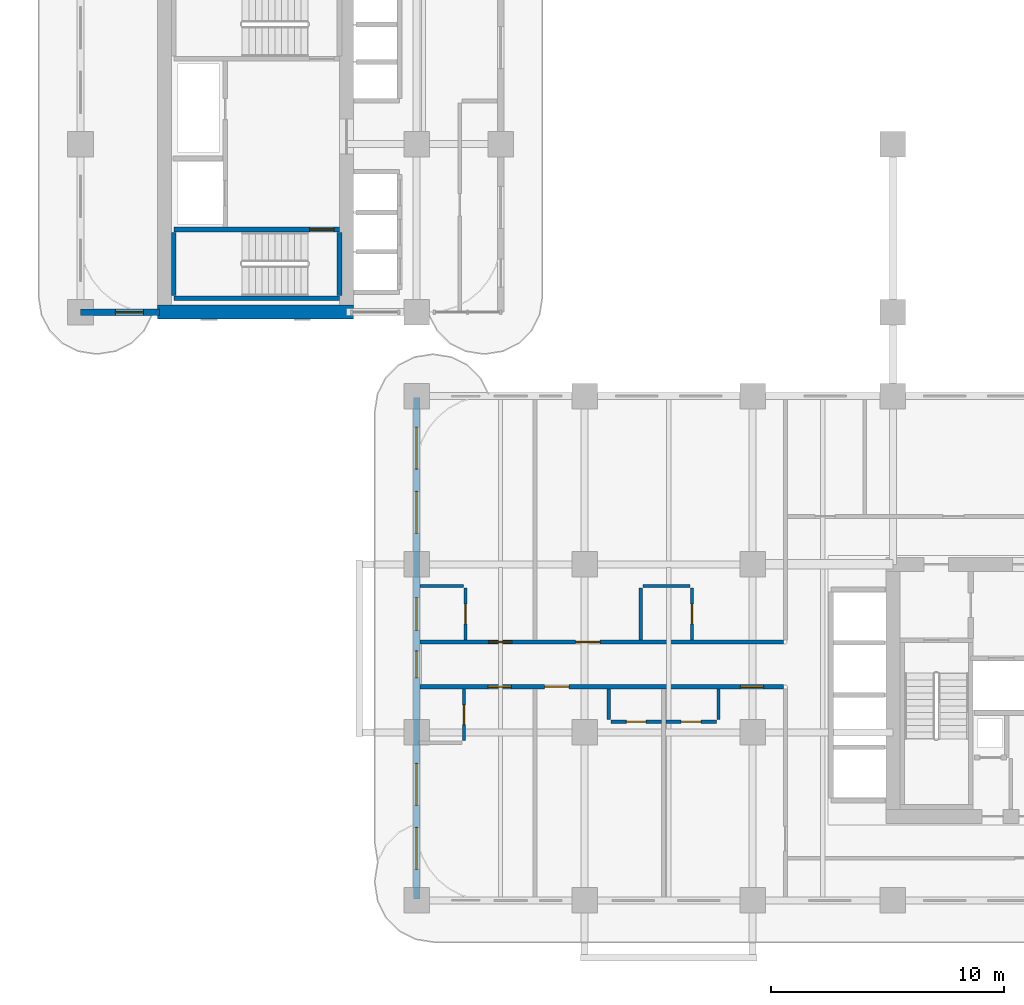
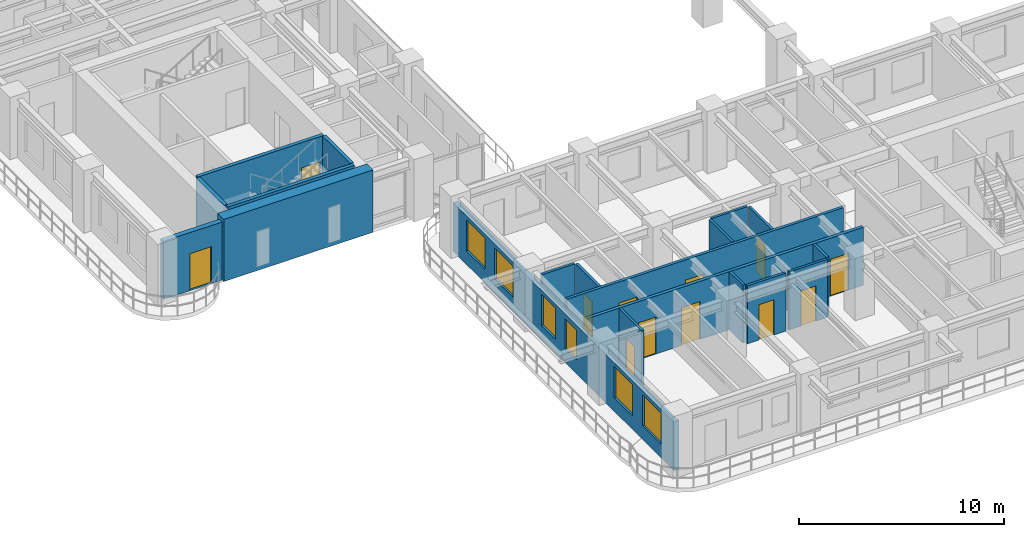
# One storey, part 6 of 18: 19 walls, 12 doors, 6 windows, 18 openings.
"""IFC4 building model written with IfcOpenShell, lengths in metres."""

from ifc_helpers import new_model, si_unit, derived_unit, direction, frame, frame_2d, origin, place, context, subcontext, project, spatial, rectangle, extrude, source, transform, mapped, material, layer, layer_set, type_object, type_shapes, element, fill, save


model = new_model("IFC4")

# Units and contexts
model_context = context("Model", 3, precision=1e-05, world=origin(), true_north=direction((0.0, 1.0)))
body_context = subcontext(model_context, "Body", "Model", "MODEL_VIEW")
ifc_project = project(units=[si_unit("LENGTHUNIT", "METRE"), si_unit("AREAUNIT", "SQUARE_METRE"), si_unit("VOLUMEUNIT", "CUBIC_METRE"), si_unit("PLANEANGLEUNIT", "RADIAN"), si_unit("MASSUNIT", "GRAM", prefix="KILO"), si_unit("THERMODYNAMICTEMPERATUREUNIT", "KELVIN"), si_unit("POWERUNIT", "WATT"), derived_unit("THERMALTRANSMITTANCEUNIT", [(si_unit("POWERUNIT", "WATT"), 1), (si_unit("AREAUNIT", "SQUARE_METRE"), -1), (si_unit("THERMODYNAMICTEMPERATUREUNIT", "KELVIN"), -1)])], contexts=[model_context])

# Site, building, storey
site_placement = place(None, origin())
site = spatial("IfcSite", under=ifc_project, at=site_placement, CompositionType="ELEMENT")
building_placement = place(site_placement, origin())
building = spatial("IfcBuilding", under=site, at=building_placement, Name="Zahravan Archway Hotel and Residences", CompositionType="ELEMENT")
storey_placement = place(building_placement, frame((0.0, 0.0, 36.10009765625)))
storey = spatial("IfcBuildingStorey", under=building, at=storey_placement, Name="L07", CompositionType="ELEMENT", Elevation=36.10009765625)

# Wall
ifc_material_1 = material(Name="Concrete C70/85", Category="concrete")
ifc_layer_1 = layer(ifc_material_1, 0.60009765625, Name="Concrete C70/85", Category="concrete")
ifc_layer_set_1 = layer_set([ifc_layer_1], Name="Concrete C70/85")
wall_type_1 = type_object("IfcWallType", Name="CW-CORE-600", PredefinedType="SHEAR", material=ifc_layer_set_1)
wall_1_placement = place(storey_placement, frame((3.300048828125, 25.199951171875, 0.0), z_axis=(0.0, 0.0, 1.0), x_axis=(1.0, 0.0, 0.0)))
element("IfcWall", 1, at=wall_1_placement, inside=storey, type_object=wall_type_1, Name="L07 Core B Shear S Wall 600 mm", PredefinedType="SHEAR", context=body_context, shape_type="SweptSolid", body=[
    extrude(rectangle(XDim=8.39990234375, YDim=0.60009765625, at=frame_2d((4.199951171875, 0.0))), origin(), (0.0, 0.0, 1.0), 3.699951171875),
])

# Wall, openings, windows
ifc_material_2 = material(Name="Honed Red-Ochre Sandstone & Insulated Block", Category="masonry")
ifc_layer_2 = layer(ifc_material_2, 0.280029296875, Name="Honed Red-Ochre Sandstone & Insulated Block", Category="masonry")
ifc_layer_set_2 = layer_set([ifc_layer_2], Name="Honed Red-Ochre Sandstone & Insulated Block")
wall_type_2 = type_object("IfcWallType", Name="EW-LOG-280", PredefinedType="SOLIDWALL", material=ifc_layer_set_2)
wall_2_placement = place(storey_placement, frame((14.39990234375, 0.050048828125, 0.0), z_axis=(0.0, 0.0, 1.0), x_axis=(0.0, 1.0, 0.0)))
wall_2 = element("IfcWall", 2, at=wall_2_placement, inside=storey, type_object=wall_type_2, Name="L07 Exterior Sandstone Wall WA-W", PredefinedType="SOLIDWALL", context=body_context, shape_type="SweptSolid", body=[
    extrude(rectangle(XDim=21.5, YDim=0.280029296875, at=frame_2d((10.75, 0.0))), origin(), (0.0, 0.0, 1.0), 2.885009765625),
])
opening_1_placement = place(wall_2_placement, frame((1.27490234375, 0.0, 0.800048828125)))
opening_1 = element("IfcOpeningElement", 3, at=opening_1_placement, cuts=wall_2, Name="Opening W-02", PredefinedType="OPENING", context=body_context, shape_type="SweptSolid", body=[
    extrude(rectangle(XDim=1.800048828125, YDim=1.85009765625, at=frame_2d((0.89990234375, 0.925048828125))), frame((0.0, 0.14990234375, 0.0), z_axis=(0.0, -1.0, 0.0), x_axis=(1.0, 0.0, 0.0)), (0.0, 0.0, 1.0), 0.300048828125),
])
opening_2_placement = place(wall_2_placement, frame((4.02490234375, 0.0, 0.800048828125)))
opening_2 = element("IfcOpeningElement", 4, at=opening_2_placement, cuts=wall_2, Name="Opening W-02", PredefinedType="OPENING", context=body_context, shape_type="SweptSolid", body=[
    extrude(rectangle(XDim=1.800048828125, YDim=1.85009765625, at=frame_2d((0.89990234375, 0.925048828125))), frame((0.0, 0.14990234375, 0.0), z_axis=(0.0, -1.0, 0.0), x_axis=(1.0, 0.0, 0.0)), (0.0, 0.0, 1.0), 0.300048828125),
])
opening_3_placement = place(wall_2_placement, frame((9.485107421875, 0.0, 0.800048828125)))
opening_3 = element("IfcOpeningElement", 5, at=opening_3_placement, cuts=wall_2, Name="Opening W-05", PredefinedType="OPENING", context=body_context, shape_type="SweptSolid", body=[
    extrude(rectangle(XDim=1.14990234375, YDim=1.800048828125, at=frame_2d((0.574951171875, 0.89990234375))), frame((0.0, 0.14990234375, 0.0), z_axis=(0.0, -1.0, 0.0), x_axis=(1.0, 0.0, 0.0)), (0.0, 0.0, 1.0), 0.300048828125),
])
opening_4_placement = place(wall_2_placement, frame((11.52001953125, 0.0, 0.800048828125)))
opening_4 = element("IfcOpeningElement", 6, at=opening_4_placement, cuts=wall_2, Name="Opening W-03", PredefinedType="OPENING", context=body_context, shape_type="SweptSolid", body=[
    extrude(rectangle(XDim=1.39990234375, YDim=1.85009765625, at=frame_2d((0.699951171875, 0.925048828125))), frame((0.0, 0.14990234375, 0.0), z_axis=(0.0, -1.0, 0.0), x_axis=(1.0, 0.0, 0.0)), (0.0, 0.0, 1.0), 0.300048828125),
])
opening_5_placement = place(wall_2_placement, frame((15.675048828125, 0.0, 0.800048828125)))
opening_5 = element("IfcOpeningElement", 7, at=opening_5_placement, cuts=wall_2, Name="Opening W-02", PredefinedType="OPENING", context=body_context, shape_type="SweptSolid", body=[
    extrude(rectangle(XDim=1.800048828125, YDim=1.85009765625, at=frame_2d((0.89990234375, 0.925048828125))), frame((0.0, 0.14990234375, 0.0), z_axis=(0.0, -1.0, 0.0), x_axis=(1.0, 0.0, 0.0)), (0.0, 0.0, 1.0), 0.300048828125),
])
opening_6_placement = place(wall_2_placement, frame((18.425048828125, 0.0, 0.800048828125)))
opening_6 = element("IfcOpeningElement", 8, at=opening_6_placement, cuts=wall_2, Name="Opening W-02", PredefinedType="OPENING", context=body_context, shape_type="SweptSolid", body=[
    extrude(rectangle(XDim=1.800048828125, YDim=1.85009765625, at=frame_2d((0.89990234375, 0.925048828125))), frame((0.0, 0.14990234375, 0.0), z_axis=(0.0, -1.0, 0.0), x_axis=(1.0, 0.0, 0.0)), (0.0, 0.0, 1.0), 0.300048828125),
])
ifc_material_3 = material(Name="Bronze-Anodized Thermal-Break Aluminium & Low-E Glass", Category="aluminium")
window_type_1 = type_object("IfcWindowType", Name="WIN-TWR-1400", PartitioningType="SINGLE_PANEL", PredefinedType="WINDOW", material=ifc_material_3)
shared_shape_1 = source(origin(), body_context, "Body", "SweptSolid", [
    extrude(rectangle(XDim=1.39990234375, YDim=1.85009765625, at=frame_2d((0.699951171875, 0.925048828125))), frame((0.0, 0.030029296875, 0.0), z_axis=(0.0, -1.0, 0.0), x_axis=(1.0, 0.0, 0.0)), (0.0, 0.0, 1.0), 0.06005859375),
])
type_shapes(window_type_1, [shared_shape_1])
window_1_placement = place(opening_4_placement, origin())
window_1 = element("IfcWindow", 9, at=window_1_placement, inside=storey, type_object=window_type_1, Name="L07 Loggia Window 31", OverallHeight=1.85009765625, OverallWidth=1.39990234375, PartitioningType="SINGLE_PANEL", PredefinedType="WINDOW", context=body_context, shape_type="MappedRepresentation", body=[
    mapped(shared_shape_1, transform((0.0, 0.0, 0.0), scale=1.0)),
])
fill(opening_4, window_1)
window_type_2 = type_object("IfcWindowType", Name="WIN-TWR-1800", PartitioningType="DOUBLE_PANEL_VERTICAL", PredefinedType="WINDOW", material=ifc_material_3)
shared_shape_2 = source(origin(), body_context, "Body", "SweptSolid", [
    extrude(rectangle(XDim=1.800048828125, YDim=1.85009765625, at=frame_2d((0.89990234375, 0.925048828125))), frame((0.0, 0.030029296875, 0.0), z_axis=(0.0, -1.0, 0.0), x_axis=(1.0, 0.0, 0.0)), (0.0, 0.0, 1.0), 0.06005859375),
])
type_shapes(window_type_2, [shared_shape_2])
window_2_placement = place(opening_1_placement, origin())
window_2 = element("IfcWindow", 10, at=window_2_placement, inside=storey, type_object=window_type_2, Name="L07 Loggia Window 28", OverallHeight=1.85009765625, OverallWidth=1.800048828125, PartitioningType="DOUBLE_PANEL_VERTICAL", PredefinedType="WINDOW", context=body_context, shape_type="MappedRepresentation", body=[
    mapped(shared_shape_2, transform((0.0, 0.0, 0.0), scale=1.0)),
])
fill(opening_1, window_2)
window_3_placement = place(opening_2_placement, origin())
window_3 = element("IfcWindow", 11, at=window_3_placement, inside=storey, type_object=window_type_2, Name="L07 Loggia Window 29", OverallHeight=1.85009765625, OverallWidth=1.800048828125, PartitioningType="DOUBLE_PANEL_VERTICAL", PredefinedType="WINDOW", context=body_context, shape_type="MappedRepresentation", body=[
    mapped(shared_shape_2, transform((0.0, 0.0, 0.0), scale=1.0)),
])
fill(opening_2, window_3)
window_4_placement = place(opening_5_placement, origin())
window_4 = element("IfcWindow", 12, at=window_4_placement, inside=storey, type_object=window_type_2, Name="L07 Loggia Window 32", OverallHeight=1.85009765625, OverallWidth=1.800048828125, PartitioningType="DOUBLE_PANEL_VERTICAL", PredefinedType="WINDOW", context=body_context, shape_type="MappedRepresentation", body=[
    mapped(shared_shape_2, transform((0.0, 0.0, 0.0), scale=1.0)),
])
fill(opening_5, window_4)
window_5_placement = place(opening_6_placement, origin())
window_5 = element("IfcWindow", 13, at=window_5_placement, inside=storey, type_object=window_type_2, Name="L07 Loggia Window 33", OverallHeight=1.85009765625, OverallWidth=1.800048828125, PartitioningType="DOUBLE_PANEL_VERTICAL", PredefinedType="WINDOW", context=body_context, shape_type="MappedRepresentation", body=[
    mapped(shared_shape_2, transform((0.0, 0.0, 0.0), scale=1.0)),
])
fill(opening_6, window_5)
window_type_3 = type_object("IfcWindowType", Name="WIN-TWR-1150", PartitioningType="SINGLE_PANEL", PredefinedType="WINDOW", material=ifc_material_3)
shared_shape_3 = source(origin(), body_context, "Body", "SweptSolid", [
    extrude(rectangle(XDim=1.14990234375, YDim=1.800048828125, at=frame_2d((0.574951171875, 0.89990234375))), frame((0.0, 0.030029296875, 0.0), z_axis=(0.0, -1.0, 0.0), x_axis=(1.0, 0.0, 0.0)), (0.0, 0.0, 1.0), 0.06005859375),
])
type_shapes(window_type_3, [shared_shape_3])
window_6_placement = place(opening_3_placement, origin())
window_6 = element("IfcWindow", 14, at=window_6_placement, inside=storey, type_object=window_type_3, Name="L07 Loggia Window 30", OverallHeight=1.800048828125, OverallWidth=1.14990234375, PartitioningType="SINGLE_PANEL", PredefinedType="WINDOW", context=body_context, shape_type="MappedRepresentation", body=[
    mapped(shared_shape_3, transform((0.0, 0.0, 0.0), scale=1.0)),
])
fill(opening_3, window_6)

# Wall, opening, door
wall_3_placement = place(storey_placement, frame((0.0, 25.199951171875, 0.0), z_axis=(0.0, 0.0, 1.0), x_axis=(1.0, 0.0, 0.0)))
wall_3 = element("IfcWall", 15, at=wall_3_placement, inside=storey, type_object=wall_type_2, Name="L07 Exterior Sandstone Wall WB-SW", PredefinedType="SOLIDWALL", context=body_context, shape_type="SweptSolid", body=[
    extrude(rectangle(XDim=3.3798828125, YDim=0.280029296875, at=frame_2d((1.68994140625, 0.0))), origin(), (0.0, 0.0, 1.0), 3.449951171875),
])
opening_7_placement = place(wall_3_placement, frame((1.5, 0.0, 0.0)))
opening_7 = element("IfcOpeningElement", 16, at=opening_7_placement, cuts=wall_3, Name="Opening ED-BL1", PredefinedType="OPENING", context=body_context, shape_type="SweptSolid", body=[
    extrude(rectangle(XDim=1.199951171875, YDim=2.199951171875, at=frame_2d((0.60009765625, 1.10009765625))), frame((0.0, 0.14990234375, 0.0), z_axis=(0.0, -1.0, 0.0), x_axis=(1.0, 0.0, 0.0)), (0.0, 0.0, 1.0), 0.300048828125),
])
ifc_material_4 = material(Name="Bronze-Anodized Glazed Aluminium", Category="aluminium")
door_type_1 = type_object("IfcDoorType", Name="ED-BALC-1200", OperationType="SLIDING_TO_LEFT", PredefinedType="DOOR", material=ifc_material_4)
shared_shape_4 = source(origin(), body_context, "Body", "SweptSolid", [
    extrude(rectangle(XDim=1.199951171875, YDim=2.199951171875, at=frame_2d((0.60009765625, 1.10009765625))), frame((0.0, 0.02490234375, 0.0), z_axis=(0.0, -1.0, 0.0), x_axis=(1.0, 0.0, 0.0)), (0.0, 0.0, 1.0), 0.050048828125),
])
type_shapes(door_type_1, [shared_shape_4])
door_1_placement = place(opening_7_placement, origin())
door_1 = element("IfcDoor", 17, at=door_1_placement, inside=storey, type_object=door_type_1, Name="L07 Outdoor Access Sliding Door (SLB-BAL-L07-WB)", OperationType="SLIDING_TO_LEFT", OverallHeight=2.199951171875, OverallWidth=1.199951171875, PredefinedType="DOOR", context=body_context, shape_type="MappedRepresentation", body=[
    mapped(shared_shape_4, transform((0.0, 0.0, 0.0), scale=1.0)),
])
fill(opening_7, door_1)

# Wall, openings, doors
ifc_material_5 = material(Name="Fire-Rated Gypsum & Concrete Block", Category="concrete")
ifc_layer_3 = layer(ifc_material_5, 0.159912109375, Name="Fire-Rated Gypsum & Concrete Block", Category="concrete")
ifc_layer_set_3 = layer_set([ifc_layer_3], Name="Fire-Rated Gypsum & Concrete Block")
wall_type_3 = type_object("IfcWallType", Name="PW-CORR-160", PredefinedType="PARTITIONING", material=ifc_layer_set_3)
wall_4_placement = place(storey_placement, frame((14.548095703125, 11.070068359375, 0.0), z_axis=(0.0, 0.0, 1.0), x_axis=(1.0, 0.0, 0.0)))
wall_4 = element("IfcWall", 18, at=wall_4_placement, inside=storey, type_object=wall_type_3, Name="L07 Partition WA-CN", PredefinedType="PARTITIONING", context=body_context, shape_type="SweptSolid", body=[
    extrude(rectangle(XDim=15.56201171875, YDim=0.159912109375, at=frame_2d((7.781005859375, 0.0))), origin(), (0.0, 0.0, 1.0), 3.449951171875),
])
opening_8_placement = place(wall_4_placement, frame((2.93798828125, 0.0, 0.0)))
opening_8 = element("IfcOpeningElement", 19, at=opening_8_placement, cuts=wall_4, Name="Opening D-U2", PredefinedType="OPENING", context=body_context, shape_type="SweptSolid", body=[
    extrude(rectangle(XDim=1.0, YDim=2.199951171875, at=frame_2d((0.5, 1.10009765625))), frame((0.0, 0.08984375, 0.0), z_axis=(0.0, -1.0, 0.0), x_axis=(1.0, 0.0, 0.0)), (0.0, 0.0, 1.0), 0.179931640625),
])
opening_9_placement = place(wall_4_placement, frame((6.6669921875, 0.0, 0.0)))
opening_9 = element("IfcOpeningElement", 20, at=opening_9_placement, cuts=wall_4, Name="Opening D-U1", PredefinedType="OPENING", context=body_context, shape_type="SweptSolid", body=[
    extrude(rectangle(XDim=1.050048828125, YDim=2.25, at=frame_2d((0.52490234375, 1.125))), frame((0.0, 0.08984375, 0.0), z_axis=(0.0, -1.0, 0.0), x_axis=(1.0, 0.0, 0.0)), (0.0, 0.0, 1.0), 0.179931640625),
])
ifc_material_6 = material(Name="Hardwood Veneer Timber", Category="wood")
door_type_2 = type_object("IfcDoorType", Name="ID-UNIT-1050", OperationType="NOTDEFINED", PredefinedType="DOOR", material=ifc_material_6)
shared_shape_5 = source(origin(), body_context, "Body", "SweptSolid", [
    extrude(rectangle(XDim=1.050048828125, YDim=2.25, at=frame_2d((0.52490234375, 1.125))), frame((0.0, 0.02490234375, 0.0), z_axis=(0.0, -1.0, 0.0), x_axis=(1.0, 0.0, 0.0)), (0.0, 0.0, 1.0), 0.050048828125),
])
type_shapes(door_type_2, [shared_shape_5])
door_2_placement = place(opening_9_placement, origin())
door_2 = element("IfcDoor", 21, at=door_2_placement, inside=storey, type_object=door_type_2, Name="L07 Hotel Guestroom 42 Entrance Door", OperationType="SINGLE_SWING_RIGHT", OverallHeight=2.25, OverallWidth=1.050048828125, PredefinedType="DOOR", context=body_context, shape_type="MappedRepresentation", body=[
    mapped(shared_shape_5, transform((0.0, 0.0, 0.0), scale=1.0)),
])
fill(opening_9, door_2)
door_type_3 = type_object("IfcDoorType", Name="ID-UNIT-1000", OperationType="NOTDEFINED", PredefinedType="DOOR", material=ifc_material_6)
shared_shape_6 = source(origin(), body_context, "Body", "SweptSolid", [
    extrude(rectangle(XDim=1.0, YDim=2.199951171875, at=frame_2d((0.5, 1.10009765625))), frame((0.0, 0.02490234375, 0.0), z_axis=(0.0, -1.0, 0.0), x_axis=(1.0, 0.0, 0.0)), (0.0, 0.0, 1.0), 0.050048828125),
])
type_shapes(door_type_3, [shared_shape_6])
door_3_placement = place(opening_8_placement, origin())
door_3 = element("IfcDoor", 22, at=door_3_placement, inside=storey, type_object=door_type_3, Name="L07 Hotel Guestroom 41 Entrance Door", OperationType="SINGLE_SWING_RIGHT", OverallHeight=2.199951171875, OverallWidth=1.0, PredefinedType="DOOR", context=body_context, shape_type="MappedRepresentation", body=[
    mapped(shared_shape_6, transform((0.0, 0.0, 0.0), scale=1.0)),
])
fill(opening_8, door_3)

ifc_layer_4 = layer(ifc_material_5, 0.179931640625, Name="Fire-Rated Gypsum & Concrete Block", Category="concrete")
ifc_layer_set_4 = layer_set([ifc_layer_4], Name="Fire-Rated Gypsum & Concrete Block")
wall_type_4 = type_object("IfcWallType", Name="PW-CORR-180", PredefinedType="PARTITIONING", material=ifc_layer_set_4)
wall_5_placement = place(storey_placement, frame((14.548095703125, 9.14990234375, 0.0), z_axis=(0.0, 0.0, 1.0), x_axis=(1.0, 0.0, 0.0)))
wall_5 = element("IfcWall", 23, at=wall_5_placement, inside=storey, type_object=wall_type_4, Name="L07 Partition WA-CS", PredefinedType="PARTITIONING", context=body_context, shape_type="SweptSolid", body=[
    extrude(rectangle(XDim=15.56201171875, YDim=0.179931640625, at=frame_2d((7.781005859375, 0.0))), origin(), (0.0, 0.0, 1.0), 3.449951171875),
])
opening_10_placement = place(wall_5_placement, frame((2.907958984375, 0.0, 0.0)))
opening_10 = element("IfcOpeningElement", 24, at=opening_10_placement, cuts=wall_5, Name="Opening D-U2", PredefinedType="OPENING", context=body_context, shape_type="SweptSolid", body=[
    extrude(rectangle(XDim=1.0, YDim=2.199951171875, at=frame_2d((0.5, 1.10009765625))), frame((0.0, 0.10009765625, 0.0), z_axis=(0.0, -1.0, 0.0), x_axis=(1.0, 0.0, 0.0)), (0.0, 0.0, 1.0), 0.199951171875),
])
opening_11_placement = place(wall_5_placement, frame((5.33447265625, 0.0, 0.0)))
opening_11 = element("IfcOpeningElement", 25, at=opening_11_placement, cuts=wall_5, Name="Opening D-U1", PredefinedType="OPENING", context=body_context, shape_type="SweptSolid", body=[
    extrude(rectangle(XDim=1.050048828125, YDim=2.25, at=frame_2d((0.52490234375, 1.125))), frame((0.0, 0.10009765625, 0.0), z_axis=(0.0, -1.0, 0.0), x_axis=(1.0, 0.0, 0.0)), (0.0, 0.0, 1.0), 0.199951171875),
])
opening_12_placement = place(wall_5_placement, frame((13.719970703125, 0.0, 0.0)))
opening_12 = element("IfcOpeningElement", 26, at=opening_12_placement, cuts=wall_5, Name="Opening D-U2", PredefinedType="OPENING", context=body_context, shape_type="SweptSolid", body=[
    extrude(rectangle(XDim=1.0, YDim=2.199951171875, at=frame_2d((0.5, 1.10009765625))), frame((0.0, 0.10009765625, 0.0), z_axis=(0.0, -1.0, 0.0), x_axis=(1.0, 0.0, 0.0)), (0.0, 0.0, 1.0), 0.199951171875),
])
door_4_placement = place(opening_11_placement, origin())
door_4 = element("IfcDoor", 27, at=door_4_placement, inside=storey, type_object=door_type_2, Name="L07 Hotel Guestroom 2 Entrance Door", OperationType="SINGLE_SWING_RIGHT", OverallHeight=2.25, OverallWidth=1.050048828125, PredefinedType="DOOR", context=body_context, shape_type="MappedRepresentation", body=[
    mapped(shared_shape_5, transform((0.0, 0.0, 0.0), scale=1.0)),
])
fill(opening_11, door_4)
door_5_placement = place(opening_10_placement, origin())
door_5 = element("IfcDoor", 28, at=door_5_placement, inside=storey, type_object=door_type_3, Name="L07 Hotel Guestroom 1 Entrance Door", OperationType="SINGLE_SWING_RIGHT", OverallHeight=2.199951171875, OverallWidth=1.0, PredefinedType="DOOR", context=body_context, shape_type="MappedRepresentation", body=[
    mapped(shared_shape_6, transform((0.0, 0.0, 0.0), scale=1.0)),
])
fill(opening_10, door_5)
door_6_placement = place(opening_12_placement, origin())
door_6 = element("IfcDoor", 29, at=door_6_placement, inside=storey, type_object=door_type_3, Name="L07 Hotel Guestroom 3 Entrance Door", OperationType="SINGLE_SWING_RIGHT", OverallHeight=2.199951171875, OverallWidth=1.0, PredefinedType="DOOR", context=body_context, shape_type="MappedRepresentation", body=[
    mapped(shared_shape_6, transform((0.0, 0.0, 0.0), scale=1.0)),
])
fill(opening_12, door_6)

# Wall, opening, door
ifc_material_7 = material(Name="Moisture-Resistant Blockwork", Category="masonry")
ifc_layer_5 = layer(ifc_material_7, 0.139892578125, Name="Moisture-Resistant Blockwork", Category="masonry")
ifc_layer_set_5 = layer_set([ifc_layer_5], Name="Moisture-Resistant Blockwork")
wall_type_5 = type_object("IfcWallType", Name="PW-WET-140", PredefinedType="PARTITIONING", material=ifc_layer_set_5)
wall_6_placement = place(storey_placement, frame((16.431884765625, 6.840087890625, 0.0), z_axis=(0.0, 0.0, 1.0), x_axis=(0.0, 1.0, 0.0)))
wall_6 = element("IfcWall", 30, at=wall_6_placement, inside=storey, type_object=wall_type_5, Name="L07 Partition HKB-V1", PredefinedType="PARTITIONING", context=body_context, shape_type="SweptSolid", body=[
    extrude(rectangle(XDim=2.219970703125, YDim=0.139892578125, at=frame_2d((1.10986328125, 0.0))), origin(), (0.0, 0.0, 1.0), 3.449951171875),
])
opening_13_placement = place(wall_6_placement, frame((0.68505859375, 0.0, 0.0)))
opening_13 = element("IfcOpeningElement", 31, at=opening_13_placement, cuts=wall_6, Name="Opening D-B1", PredefinedType="OPENING", context=body_context, shape_type="SweptSolid", body=[
    extrude(rectangle(XDim=0.85009765625, YDim=2.10009765625, at=frame_2d((0.425048828125, 1.050048828125))), frame((0.0, 0.080078125, 0.0), z_axis=(0.0, -1.0, 0.0), x_axis=(1.0, 0.0, 0.0)), (0.0, 0.0, 1.0), 0.159912109375),
])
door_type_4 = type_object("IfcDoorType", Name="ID-BATH-850", OperationType="NOTDEFINED", PredefinedType="DOOR", material=ifc_material_6)
shared_shape_7 = source(origin(), body_context, "Body", "SweptSolid", [
    extrude(rectangle(XDim=0.85009765625, YDim=2.10009765625, at=frame_2d((0.425048828125, 1.050048828125))), frame((0.0, 0.02490234375, 0.0), z_axis=(0.0, -1.0, 0.0), x_axis=(1.0, 0.0, 0.0)), (0.0, 0.0, 1.0), 0.050048828125),
])
type_shapes(door_type_4, [shared_shape_7])
door_7_placement = place(opening_13_placement, origin())
door_7 = element("IfcDoor", 32, at=door_7_placement, inside=storey, type_object=door_type_4, Name="L07 Guestroom 1 En-Suite Door", OperationType="SINGLE_SWING_RIGHT", OverallHeight=2.10009765625, OverallWidth=0.85009765625, PredefinedType="DOOR", context=body_context, shape_type="MappedRepresentation", body=[
    mapped(shared_shape_7, transform((0.0, 0.0, 0.0), scale=1.0)),
])
fill(opening_13, door_7)

# Wall
wall_7_placement = place(storey_placement, frame((22.635986328125, 7.739990234375, 0.0), z_axis=(0.0, 0.0, 1.0), x_axis=(0.0, 1.0, 0.0)))
element("IfcWall", 33, at=wall_7_placement, inside=storey, type_object=wall_type_5, Name="L07 Partition HKB-V2", PredefinedType="PARTITIONING", context=body_context, shape_type="SweptSolid", body=[
    extrude(rectangle(XDim=1.320068359375, YDim=0.139892578125, at=frame_2d((0.66015625, 0.0))), origin(), (0.0, 0.0, 1.0), 3.449951171875),
])

# Wall, opening, door
wall_8_placement = place(storey_placement, frame((22.72607421875, 7.64990234375, 0.0), z_axis=(0.0, 0.0, 1.0), x_axis=(1.0, 0.0, 0.0)))
wall_8 = element("IfcWall", 34, at=wall_8_placement, inside=storey, type_object=wall_type_5, Name="L07 Partition HKB-H2", PredefinedType="PARTITIONING", context=body_context, shape_type="SweptSolid", body=[
    extrude(rectangle(XDim=2.169921875, YDim=0.139892578125, at=frame_2d((1.0849609375, 0.0))), origin(), (0.0, 0.0, 1.0), 3.449951171875),
])
opening_14_placement = place(wall_8_placement, frame((0.659912109375, 0.0, 0.0)))
opening_14 = element("IfcOpeningElement", 35, at=opening_14_placement, cuts=wall_8, Name="Opening D-B1", PredefinedType="OPENING", context=body_context, shape_type="SweptSolid", body=[
    extrude(rectangle(XDim=0.85009765625, YDim=2.10009765625, at=frame_2d((0.425048828125, 1.050048828125))), frame((0.0, 0.080078125, 0.0), z_axis=(0.0, -1.0, 0.0), x_axis=(1.0, 0.0, 0.0)), (0.0, 0.0, 1.0), 0.159912109375),
])
door_8_placement = place(opening_14_placement, origin())
door_8 = element("IfcDoor", 36, at=door_8_placement, inside=storey, type_object=door_type_4, Name="L07 Guestroom 2 En-Suite Door", OperationType="SINGLE_SWING_LEFT", OverallHeight=2.10009765625, OverallWidth=0.85009765625, PredefinedType="DOOR", context=body_context, shape_type="MappedRepresentation", body=[
    mapped(shared_shape_7, transform((0.0, 0.0, 0.0), scale=1.0)),
])
fill(opening_14, door_8)

# Wall
wall_9_placement = place(storey_placement, frame((27.3359375, 7.739990234375, 0.0), z_axis=(0.0, 0.0, 1.0), x_axis=(0.0, 1.0, 0.0)))
element("IfcWall", 37, at=wall_9_placement, inside=storey, type_object=wall_type_5, Name="L07 Partition HKB-V3", PredefinedType="PARTITIONING", context=body_context, shape_type="SweptSolid", body=[
    extrude(rectangle(XDim=1.320068359375, YDim=0.139892578125, at=frame_2d((0.66015625, 0.0))), origin(), (0.0, 0.0, 1.0), 3.449951171875),
])

# Wall, opening, door
wall_10_placement = place(storey_placement, frame((25.075927734375, 7.64990234375, 0.0), z_axis=(0.0, 0.0, 1.0), x_axis=(1.0, 0.0, 0.0)))
wall_10 = element("IfcWall", 38, at=wall_10_placement, inside=storey, type_object=wall_type_5, Name="L07 Partition HKB-H3", PredefinedType="PARTITIONING", context=body_context, shape_type="SweptSolid", body=[
    extrude(rectangle(XDim=2.170166015625, YDim=0.139892578125, at=frame_2d((1.0849609375, 0.0))), origin(), (0.0, 0.0, 1.0), 3.449951171875),
])
opening_15_placement = place(wall_10_placement, frame((0.659912109375, 0.0, 0.0)))
opening_15 = element("IfcOpeningElement", 39, at=opening_15_placement, cuts=wall_10, Name="Opening D-B1", PredefinedType="OPENING", context=body_context, shape_type="SweptSolid", body=[
    extrude(rectangle(XDim=0.85009765625, YDim=2.10009765625, at=frame_2d((0.425048828125, 1.050048828125))), frame((0.0, 0.080078125, 0.0), z_axis=(0.0, -1.0, 0.0), x_axis=(1.0, 0.0, 0.0)), (0.0, 0.0, 1.0), 0.159912109375),
])
door_9_placement = place(opening_15_placement, origin())
door_9 = element("IfcDoor", 40, at=door_9_placement, inside=storey, type_object=door_type_4, Name="L07 Guestroom 3 En-Suite Door", OperationType="SINGLE_SWING_LEFT", OverallHeight=2.10009765625, OverallWidth=0.85009765625, PredefinedType="DOOR", context=body_context, shape_type="MappedRepresentation", body=[
    mapped(shared_shape_7, transform((0.0, 0.0, 0.0), scale=1.0)),
])
fill(opening_15, door_9)

wall_11_placement = place(storey_placement, frame((16.491943359375, 11.159912109375, 0.0), z_axis=(0.0, 0.0, 1.0), x_axis=(0.0, 1.0, 0.0)))
wall_11 = element("IfcWall", 41, at=wall_11_placement, inside=storey, type_object=wall_type_5, Name="L07 Partition HKB-V41", PredefinedType="PARTITIONING", context=body_context, shape_type="SweptSolid", body=[
    extrude(rectangle(XDim=2.219970703125, YDim=0.139892578125, at=frame_2d((1.10986328125, 0.0))), origin(), (0.0, 0.0, 1.0), 3.449951171875),
])
opening_16_placement = place(wall_11_placement, frame((0.68505859375, 0.0, 0.0)))
opening_16 = element("IfcOpeningElement", 42, at=opening_16_placement, cuts=wall_11, Name="Opening D-B1", PredefinedType="OPENING", context=body_context, shape_type="SweptSolid", body=[
    extrude(rectangle(XDim=0.85009765625, YDim=2.10009765625, at=frame_2d((0.425048828125, 1.050048828125))), frame((0.0, 0.080078125, 0.0), z_axis=(0.0, -1.0, 0.0), x_axis=(1.0, 0.0, 0.0)), (0.0, 0.0, 1.0), 0.159912109375),
])
door_10_placement = place(opening_16_placement, origin())
door_10 = element("IfcDoor", 43, at=door_10_placement, inside=storey, type_object=door_type_4, Name="L07 Guestroom 41 En-Suite Door", OperationType="SINGLE_SWING_LEFT", OverallHeight=2.10009765625, OverallWidth=0.85009765625, PredefinedType="DOOR", context=body_context, shape_type="MappedRepresentation", body=[
    mapped(shared_shape_7, transform((0.0, 0.0, 0.0), scale=1.0)),
])
fill(opening_16, door_10)

# Walls
wall_12_placement = place(storey_placement, frame((14.548095703125, 13.469970703125, 0.0), z_axis=(0.0, 0.0, 1.0), x_axis=(1.0, 0.0, 0.0)))
element("IfcWall", 44, at=wall_12_placement, inside=storey, type_object=wall_type_5, Name="L07 Partition HKB-H41", PredefinedType="PARTITIONING", context=body_context, shape_type="SweptSolid", body=[
    extrude(rectangle(XDim=1.85400390625, YDim=0.139892578125, at=frame_2d((0.927001953125, 0.0))), origin(), (0.0, 0.0, 1.0), 3.449951171875),
])
wall_13_placement = place(storey_placement, frame((24.0, 11.159912109375, 0.0), z_axis=(0.0, 0.0, 1.0), x_axis=(0.0, 1.0, 0.0)))
element("IfcWall", 45, at=wall_13_placement, inside=storey, type_object=wall_type_5, Name="L07 Partition HKB-VL42", PredefinedType="PARTITIONING", context=body_context, shape_type="SweptSolid", body=[
    extrude(rectangle(XDim=2.219970703125, YDim=0.139892578125, at=frame_2d((1.10986328125, 0.0))), origin(), (0.0, 0.0, 1.0), 3.449951171875),
])

# Wall, opening, door
wall_14_placement = place(storey_placement, frame((26.199951171875, 11.159912109375, 0.0), z_axis=(0.0, 0.0, 1.0), x_axis=(0.0, 1.0, 0.0)))
wall_14 = element("IfcWall", 46, at=wall_14_placement, inside=storey, type_object=wall_type_5, Name="L07 Partition HKB-VR42", PredefinedType="PARTITIONING", context=body_context, shape_type="SweptSolid", body=[
    extrude(rectangle(XDim=2.219970703125, YDim=0.139892578125, at=frame_2d((1.10986328125, 0.0))), origin(), (0.0, 0.0, 1.0), 3.449951171875),
])
opening_17_placement = place(wall_14_placement, frame((0.68505859375, 0.0, 0.0)))
opening_17 = element("IfcOpeningElement", 47, at=opening_17_placement, cuts=wall_14, Name="Opening D-B1", PredefinedType="OPENING", context=body_context, shape_type="SweptSolid", body=[
    extrude(rectangle(XDim=0.85009765625, YDim=2.10009765625, at=frame_2d((0.425048828125, 1.050048828125))), frame((0.0, 0.080078125, 0.0), z_axis=(0.0, -1.0, 0.0), x_axis=(1.0, 0.0, 0.0)), (0.0, 0.0, 1.0), 0.159912109375),
])
door_11_placement = place(opening_17_placement, origin())
door_11 = element("IfcDoor", 48, at=door_11_placement, inside=storey, type_object=door_type_4, Name="L07 Guestroom 42 En-Suite Door", OperationType="SINGLE_SWING_LEFT", OverallHeight=2.10009765625, OverallWidth=0.85009765625, PredefinedType="DOOR", context=body_context, shape_type="MappedRepresentation", body=[
    mapped(shared_shape_7, transform((0.0, 0.0, 0.0), scale=1.0)),
])
fill(opening_17, door_11)

# Walls
wall_15_placement = place(storey_placement, frame((24.090087890625, 13.469970703125, 0.0), z_axis=(0.0, 0.0, 1.0), x_axis=(1.0, 0.0, 0.0)))
element("IfcWall", 49, at=wall_15_placement, inside=storey, type_object=wall_type_5, Name="L07 Partition HKB-H42", PredefinedType="PARTITIONING", context=body_context, shape_type="SweptSolid", body=[
    extrude(rectangle(XDim=2.02001953125, YDim=0.139892578125, at=frame_2d((1.010009765625, 0.0))), origin(), (0.0, 0.0, 1.0), 3.449951171875),
])
ifc_material_8 = material(Name="Concrete C50/60", Category="concrete")
ifc_layer_6 = layer(ifc_material_8, 0.199951171875, Name="Concrete C50/60", Category="concrete")
ifc_layer_set_6 = layer_set([ifc_layer_6], Name="Concrete C50/60")
wall_type_6 = type_object("IfcWallType", Name="SW-STAIR-200", PredefinedType="SHEAR", material=ifc_layer_set_6)
wall_16_placement = place(storey_placement, frame((4.0, 25.800048828125, 0.0), z_axis=(0.0, 0.0, 1.0), x_axis=(1.0, 0.0, 0.0)))
element("IfcWall", 50, at=wall_16_placement, inside=storey, type_object=wall_type_6, Name="L07 Stairwell RC Wall CB-SB1S", PredefinedType="SHEAR", context=body_context, shape_type="SweptSolid", body=[
    extrude(rectangle(XDim=7.10009765625, YDim=0.199951171875, at=frame_2d((3.550048828125, 0.0))), origin(), (0.0, 0.0, 1.0), 3.699951171875),
])
for number, where, z_axis, x_axis, name in (
    (51, (4.0, 25.919921875, 0.0), (0.0, 0.0, 1.0), (0.0, 1.0, 0.0), "L07 Stairwell RC Wall CB-SB1W"),
    (52, (11.10009765625, 25.919921875, 0.0), (0.0, 0.0, 1.0), (0.0, 1.0, 0.0), "L07 Stairwell RC Wall CB-SB1E"),
):
    element("IfcWall", number, at=place(storey_placement, frame(where, z_axis=z_axis, x_axis=x_axis)), inside=storey, type_object=wall_type_6, Name=name, PredefinedType="SHEAR", context=body_context, shape_type="SweptSolid", body=[
        extrude(rectangle(XDim=2.7001953125, YDim=0.199951171875, at=frame_2d((1.35009765625, 0.0))), origin(), (0.0, 0.0, 1.0), 3.699951171875),
    ])

# Wall, opening, door
wall_17_placement = place(storey_placement, frame((4.0, 28.739990234375, 0.0), z_axis=(0.0, 0.0, 1.0), x_axis=(1.0, 0.0, 0.0)))
wall_17 = element("IfcWall", 53, at=wall_17_placement, inside=storey, type_object=wall_type_6, Name="L07 Stairwell RC Wall CB-SB1N", PredefinedType="SHEAR", context=body_context, shape_type="SweptSolid", body=[
    extrude(rectangle(XDim=7.10009765625, YDim=0.199951171875, at=frame_2d((3.550048828125, 0.0))), origin(), (0.0, 0.0, 1.0), 3.699951171875),
])
opening_18_placement = place(wall_17_placement, frame((5.81494140625, 0.0, 0.0)))
opening_18 = element("IfcOpeningElement", 54, at=opening_18_placement, cuts=wall_17, Name="Opening FD-S1", PredefinedType="OPENING", context=body_context, shape_type="SweptSolid", body=[
    extrude(rectangle(XDim=1.050048828125, YDim=2.199951171875, at=frame_2d((0.52490234375, 1.10009765625))), frame((0.0, 0.10986328125, 0.0), z_axis=(0.0, -1.0, 0.0), x_axis=(1.0, 0.0, 0.0)), (0.0, 0.0, 1.0), 0.219970703125),
])
ifc_material_9 = material(Name="Fire-Rated Painted Steel", Category="steel")
door_type_5 = type_object("IfcDoorType", Name="FD-STAIR-1100", OperationType="NOTDEFINED", PredefinedType="DOOR", material=ifc_material_9)
shared_shape_8 = source(origin(), body_context, "Body", "SweptSolid", [
    extrude(rectangle(XDim=1.050048828125, YDim=2.199951171875, at=frame_2d((0.52490234375, 1.10009765625))), frame((0.0, 0.02490234375, 0.0), z_axis=(0.0, -1.0, 0.0), x_axis=(1.0, 0.0, 0.0)), (0.0, 0.0, 1.0), 0.050048828125),
])
type_shapes(door_type_5, [shared_shape_8])
door_12_placement = place(opening_18_placement, origin())
door_12 = element("IfcDoor", 55, at=door_12_placement, inside=storey, type_object=door_type_5, Name="L07 Stair ST-B1 Door", OperationType="SINGLE_SWING_RIGHT", OverallHeight=2.199951171875, OverallWidth=1.050048828125, PredefinedType="DOOR", context=body_context, shape_type="MappedRepresentation", body=[
    mapped(shared_shape_8, transform((0.0, 0.0, 0.0), scale=1.0)),
])
fill(opening_18, door_12)

save(model, "model.ifc")
